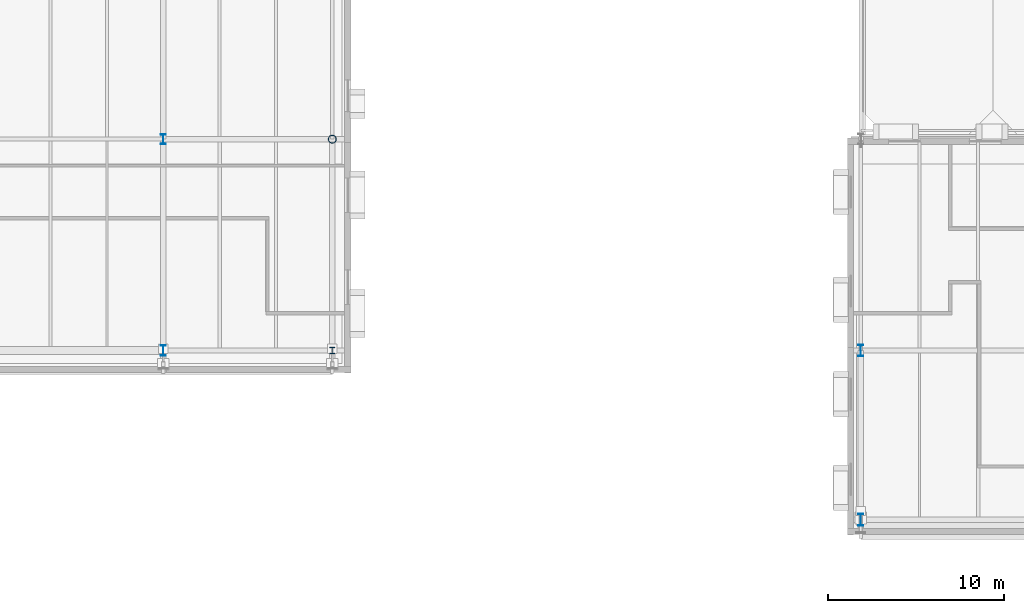
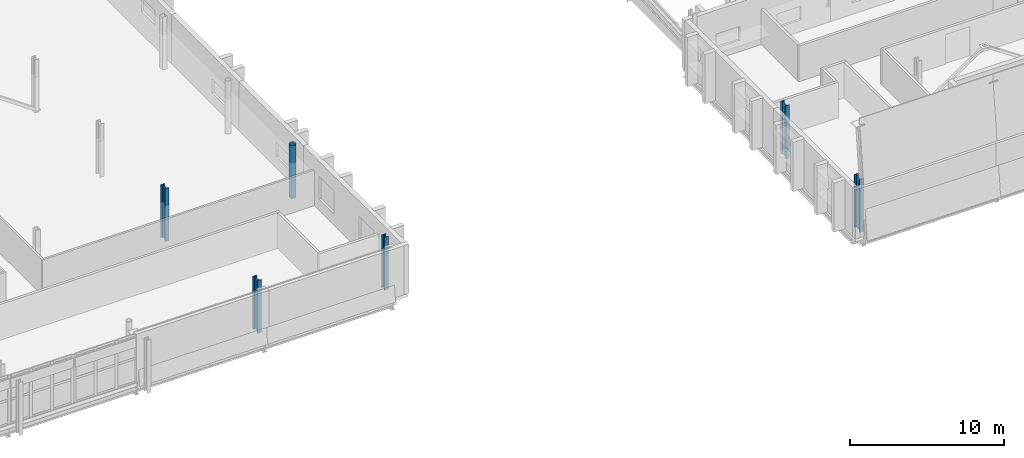
# One storey, part 7 of 57: 6 columns.
"""IFC4 building model written with IfcOpenShell, lengths in metres."""

from ifc_helpers import new_model, si_unit, direction, frame, origin, origin_2d, place, context, subcontext, project, spatial, hollow_circle, i_section, extrude, material, material_profile, profile_set, type_object, element, save


model = new_model("IFC4")

# Units and contexts
model_context = context("Model", 3, precision=1e-05, world=origin(), true_north=direction((0.0, 1.0)))
body_context = subcontext(model_context, "Body", "Model", "MODEL_VIEW")
ifc_project = project(units=[si_unit("LENGTHUNIT", "METRE"), si_unit("AREAUNIT", "SQUARE_METRE"), si_unit("VOLUMEUNIT", "CUBIC_METRE"), si_unit("PLANEANGLEUNIT", "RADIAN"), si_unit("MASSUNIT", "GRAM", prefix="KILO")], contexts=[model_context])

# Site, building, storey
site_placement = place(None, origin())
site = spatial("IfcSite", under=ifc_project, at=site_placement, CompositionType="ELEMENT")
building_placement = place(site_placement, origin())
building = spatial("IfcBuilding", under=site, at=building_placement, Name="Zereglee Splitstone Museum", CompositionType="ELEMENT")
storey_placement = place(building_placement, frame((0.0, 0.0, 17.10009765625)))
storey = spatial("IfcBuildingStorey", under=building, at=storey_placement, Name="L03", CompositionType="ELEMENT", Elevation=17.10009765625)

# Columns
ifc_material_1 = material(Name="Steel S355J2H", Category="steel")
ifc_material_profile_1 = material_profile(ifc_material_1, hollow_circle(Radius=0.228515625, WallThickness=0.02001953125, at=origin_2d()), Name="CHS 457.0x20")
ifc_profile_set_1 = profile_set([ifc_material_profile_1], Name="Steel S355J2H")
column_type_1 = type_object("IfcColumnType", Name="C-17", PredefinedType="COLUMN", material=ifc_profile_set_1)
column_1_placement = place(storey_placement, frame((145.199951171875, 21.60009765625, 0.0), z_axis=(0.0, 0.0, 1.0), x_axis=(1.0, 0.0, 0.0)))
element("IfcColumn", 1, at=column_1_placement, inside=storey, type_object=column_type_1, Name="Column 17/C L03", PredefinedType="COLUMN", context=body_context, shape_type="SweptSolid", body=[
    extrude(hollow_circle(Radius=0.228515625, WallThickness=0.02001953125, at=origin_2d()), origin(), (0.0, 0.0, 1.0), 4.199951171875),
])
ifc_material_2 = material(Name="Steel S355J2", Category="steel")
ifc_material_profile_2 = material_profile(ifc_material_2, i_section(OverallWidth=0.300048828125, OverallDepth=0.360107421875, WebThickness=0.012451171875, FlangeThickness=0.0224609375, FilletRadius=0.027099609375, at=origin_2d()), Name="HE 360 B")
ifc_profile_set_2 = profile_set([ifc_material_profile_2], Name="Steel S355J2")
column_type_2 = type_object("IfcColumnType", Name="C-16", PredefinedType="COLUMN", material=ifc_profile_set_2)
column_2_placement = place(storey_placement, frame((145.199951171875, 9.60009765625, 0.0), z_axis=(0.0, 0.0, 1.0), x_axis=(1.0, 0.0, 0.0)))
element("IfcColumn", 2, at=column_2_placement, inside=storey, type_object=column_type_2, Name="Column 17/B L03", PredefinedType="COLUMN", context=body_context, shape_type="SweptSolid", body=[
    extrude(i_section(OverallWidth=0.300048828125, OverallDepth=0.360107421875, WebThickness=0.012451171875, FlangeThickness=0.0224609375, FilletRadius=0.027099609375, at=origin_2d()), origin(), (0.0, 0.0, 1.0), 4.199951171875),
])
ifc_material_profile_3 = material_profile(ifc_material_2, i_section(OverallWidth=0.300048828125, OverallDepth=0.550048828125, WebThickness=0.014892578125, FlangeThickness=0.029052734375, FilletRadius=0.027099609375, at=origin_2d()), Name="HE 550 B")
ifc_profile_set_3 = profile_set([ifc_material_profile_3], Name="Steel S355J2")
column_type_3 = type_object("IfcColumnType", Name="C-12", PredefinedType="COLUMN", material=ifc_profile_set_3)
column_3_placement = place(storey_placement, frame((135.60009765625, 21.60009765625, 0.0), z_axis=(0.0, 0.0, 1.0), x_axis=(1.0, 0.0, 0.0)))
element("IfcColumn", 3, at=column_3_placement, inside=storey, type_object=column_type_3, Name="Column 16/C L03", PredefinedType="COLUMN", context=body_context, shape_type="SweptSolid", body=[
    extrude(i_section(OverallWidth=0.300048828125, OverallDepth=0.550048828125, WebThickness=0.014892578125, FlangeThickness=0.029052734375, FilletRadius=0.027099609375, at=origin_2d()), origin(), (0.0, 0.0, 1.0), 4.199951171875),
])
ifc_material_profile_4 = material_profile(ifc_material_2, i_section(OverallWidth=0.300048828125, OverallDepth=0.60009765625, WebThickness=0.015380859375, FlangeThickness=0.030029296875, FilletRadius=0.027099609375, at=origin_2d()), Name="HE 600 B")
ifc_profile_set_4 = profile_set([ifc_material_profile_4], Name="Steel S355J2")
column_type_4 = type_object("IfcColumnType", Name="C-11", PredefinedType="COLUMN", material=ifc_profile_set_4)
column_4_placement = place(storey_placement, frame((135.60009765625, 9.60009765625, 0.0), z_axis=(0.0, 0.0, 1.0), x_axis=(1.0, 0.0, 0.0)))
element("IfcColumn", 4, at=column_4_placement, inside=storey, type_object=column_type_4, Name="Column 16/B L03", PredefinedType="COLUMN", context=body_context, shape_type="SweptSolid", body=[
    extrude(i_section(OverallWidth=0.300048828125, OverallDepth=0.60009765625, WebThickness=0.015380859375, FlangeThickness=0.030029296875, FilletRadius=0.027099609375, at=origin_2d()), origin(), (0.0, 0.0, 1.0), 4.199951171875),
])
ifc_material_profile_5 = material_profile(ifc_material_2, i_section(OverallWidth=0.300048828125, OverallDepth=0.64990234375, WebThickness=0.01611328125, FlangeThickness=0.031005859375, FilletRadius=0.027099609375, at=origin_2d()), Name="HE 650 B")
ifc_profile_set_5 = profile_set([ifc_material_profile_5], Name="Steel S355J2")
column_type_5 = type_object("IfcColumnType", Name="C-10", PredefinedType="COLUMN", material=ifc_profile_set_5)
column_5_placement = place(storey_placement, frame((175.199951171875, 9.60009765625, 0.0), z_axis=(0.0, 0.0, 1.0), x_axis=(1.0, 0.0, 0.0)))
element("IfcColumn", 5, at=column_5_placement, inside=storey, type_object=column_type_5, Name="Column 20/B L03", PredefinedType="COLUMN", context=body_context, shape_type="SweptSolid", body=[
    extrude(i_section(OverallWidth=0.300048828125, OverallDepth=0.64990234375, WebThickness=0.01611328125, FlangeThickness=0.031005859375, FilletRadius=0.027099609375, at=origin_2d()), origin(), (0.0, 0.0, 1.0), 4.199951171875),
])
ifc_material_profile_6 = material_profile(ifc_material_2, i_section(OverallWidth=0.300048828125, OverallDepth=0.699951171875, WebThickness=0.01708984375, FlangeThickness=0.031982421875, FilletRadius=0.027099609375, at=origin_2d()), Name="HE 700 B")
ifc_profile_set_6 = profile_set([ifc_material_profile_6], Name="Steel S355J2")
column_type_6 = type_object("IfcColumnType", Name="C-09", PredefinedType="COLUMN", material=ifc_profile_set_6)
column_6_placement = place(storey_placement, frame((175.199951171875, 0.0, 0.0), z_axis=(0.0, 0.0, 1.0), x_axis=(1.0, 0.0, 0.0)))
element("IfcColumn", 6, at=column_6_placement, inside=storey, type_object=column_type_6, Name="Column 20/A L03", PredefinedType="COLUMN", context=body_context, shape_type="SweptSolid", body=[
    extrude(i_section(OverallWidth=0.300048828125, OverallDepth=0.699951171875, WebThickness=0.01708984375, FlangeThickness=0.031982421875, FilletRadius=0.027099609375, at=origin_2d()), origin(), (0.0, 0.0, 1.0), 4.199951171875),
])

save(model, "model.ifc")
